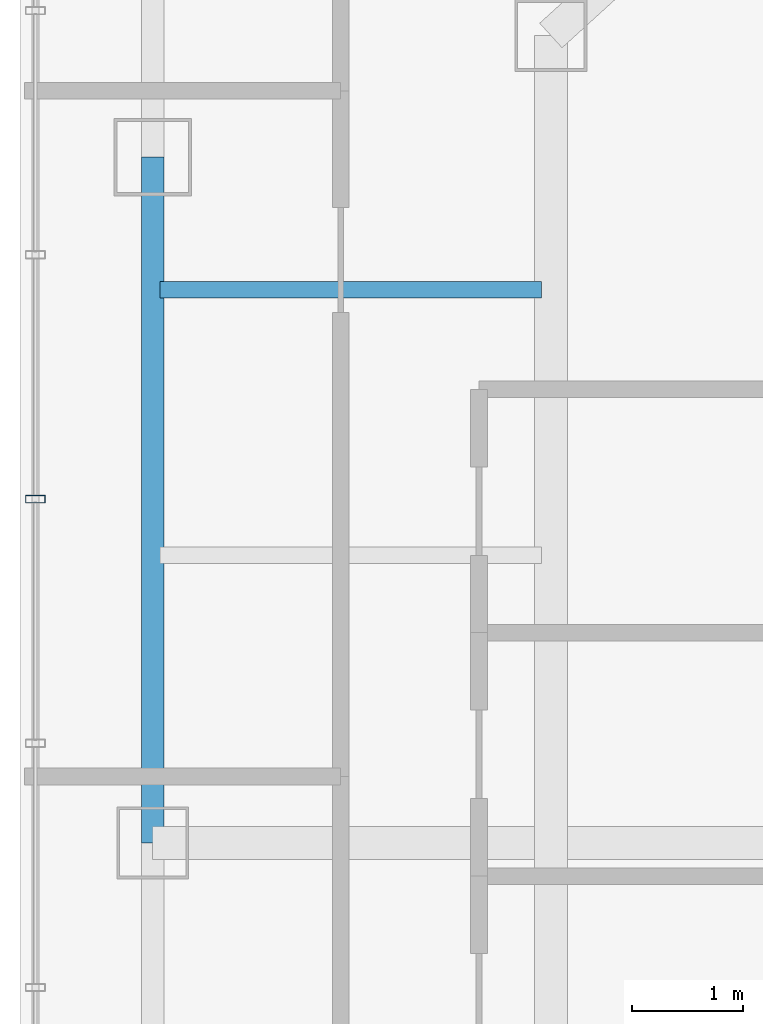
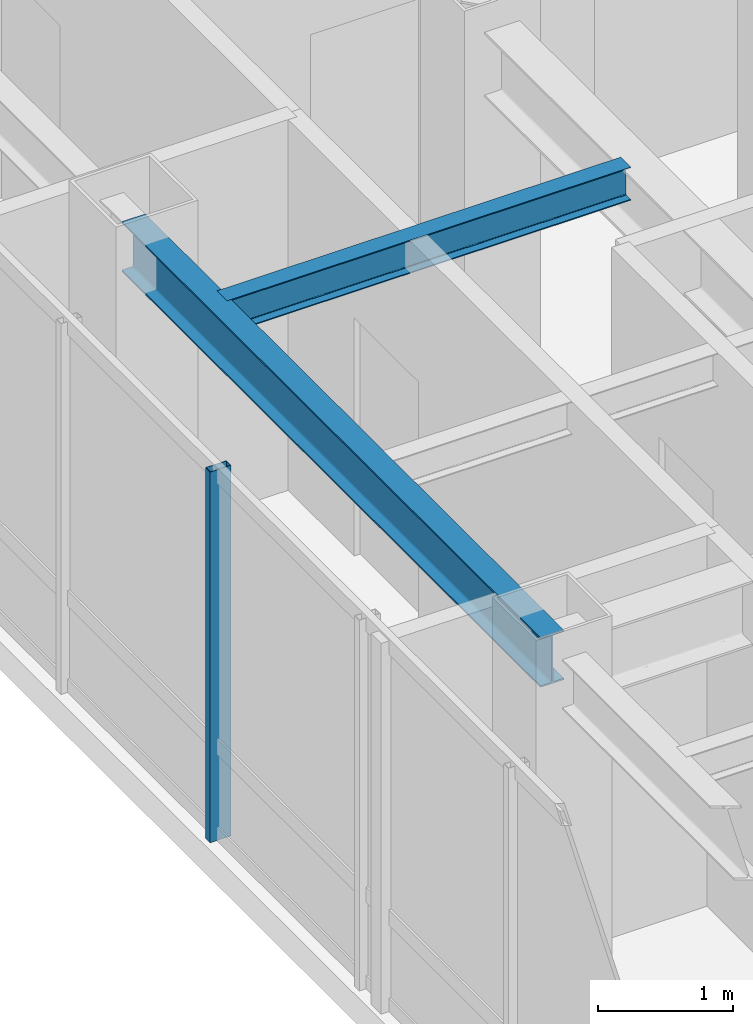
# One storey, part 8 of 25: 2 beams, 1 member, 1 element without a shape of its own.
"""IFC4 building model written with IfcOpenShell, lengths in metres."""

from ifc_helpers import new_model, si_unit, direction, frame, origin, origin_2d, place, context, subcontext, project, spatial, hollow_rectangle, i_section, extrude, material, layer, layer_set, material_profile, profile_set, type_object, element, aggregate, save


model = new_model("IFC4")

# Units and contexts
model_context = context("Model", 3, precision=1e-05, world=origin(), true_north=direction((0.0, 1.0)))
body_context = subcontext(model_context, "Body", "Model", "MODEL_VIEW")
ifc_project = project(units=[si_unit("LENGTHUNIT", "METRE"), si_unit("AREAUNIT", "SQUARE_METRE"), si_unit("VOLUMEUNIT", "CUBIC_METRE"), si_unit("PLANEANGLEUNIT", "RADIAN"), si_unit("MASSUNIT", "GRAM", prefix="KILO")], contexts=[model_context])

# Site, building, storey
site_placement = place(None, origin())
site = spatial("IfcSite", under=ifc_project, at=site_placement, CompositionType="ELEMENT")
building_placement = place(site_placement, origin())
building = spatial("IfcBuilding", under=site, at=building_placement, Name="Hatsunagi Terrace Concourse", CompositionType="ELEMENT")
storey_placement = place(building_placement, frame((0.0, 0.0, 223.949951171875)))
storey = spatial("IfcBuildingStorey", under=building, at=storey_placement, Name="L59", CompositionType="ELEMENT", Elevation=223.949951171875)

# Curtain wall, member
ifc_material_1 = material(Name="Anodised Aluminium Alloy 6063-T5", Category="aluminium")
ifc_layer = layer(ifc_material_1, 0.199951171875)
ifc_layer_set = layer_set([ifc_layer], Name="OfficeZone2_CW04")
curtain_wall_type = type_object("IfcCurtainWallType", Name="OfficeZone2_CW04", PredefinedType="NOTDEFINED", material=ifc_layer_set)
curtain_wall_placement = place(storey_placement, origin())
curtain_wall = element("IfcCurtainWall", 1, at=curtain_wall_placement, inside=storey, type_object=curtain_wall_type, Name="Unitised Curtain Wall CW-04 CW-L59-08", PredefinedType="NOTDEFINED")
ifc_material_2 = material(Name="Anodised Aluminium Alloy 6063-T5", Category="aluminium")
ifc_material_profile_1 = material_profile(ifc_material_2, hollow_rectangle(XDim=0.070068359375, YDim=0.179931640625, WallThickness=0.00390625, at=origin_2d()), Name="ALU-MUL-180x70x4")
ifc_profile_set_1 = profile_set([ifc_material_profile_1], Name="Anodised Aluminium Alloy 6063-T5")
member_type = type_object("IfcMemberType", Name="CurtainWallMullion_180x70", PredefinedType="MULLION", material=ifc_profile_set_1)
member_placement = place(storey_placement, frame((18.139892578125, 39.10791015625, 0.0), z_axis=(0.0, 0.0, 1.0), x_axis=(0.0, 1.0, 0.0)))
member = element("IfcMember", 2, at=member_placement, type_object=member_type, Name="Curtain Wall Mullion MUL-02", PredefinedType="MULLION", context=body_context, shape_type="SweptSolid", body=[
    extrude(hollow_rectangle(XDim=0.070068359375, YDim=0.179931640625, WallThickness=0.00390625, at=origin_2d()), origin(), (0.0, 0.0, 1.0), 3.35009765625),
])
aggregate(curtain_wall, [member])

# Beams
ifc_material_3 = material(Name="Steel SN490B", Category="steel")
ifc_material_profile_2 = material_profile(ifc_material_3, i_section(OverallWidth=0.14990234375, OverallDepth=0.300048828125, WebThickness=0.006591796875, FlangeThickness=0.009033203125, FilletRadius=0.010986328125, at=origin_2d()), Name="H-300x150x6.5x9")
ifc_profile_set_2 = profile_set([ifc_material_profile_2], Name="Steel SN490B")
beam_type_1 = type_object("IfcBeamType", Name="OfficeJoist_H_300x150", PredefinedType="JOIST", material=ifc_profile_set_2)
beam_1_placement = place(storey_placement, frame((19.264892578125, 41.0, 3.199951171875), z_axis=(1.0, 0.0, 0.0), x_axis=(0.0, 1.0, 0.0)))
element("IfcBeam", 3, at=beam_1_placement, inside=storey, type_object=beam_type_1, Name="Beam J-03 J-L59-W-19-410", PredefinedType="JOIST", context=body_context, shape_type="SweptSolid", body=[
    extrude(i_section(OverallWidth=0.14990234375, OverallDepth=0.300048828125, WebThickness=0.006591796875, FlangeThickness=0.009033203125, FilletRadius=0.010986328125, at=origin_2d()), origin(), (0.0, 0.0, 1.0), 3.4501953125),
])
ifc_material_4 = material(Name="Steel SN490B", Category="steel")
ifc_material_profile_3 = material_profile(ifc_material_4, i_section(OverallWidth=0.199951171875, OverallDepth=0.449951171875, WebThickness=0.009033203125, FlangeThickness=0.013916015625, FilletRadius=0.01611328125, at=origin_2d()), Name="H-450x200x9x14")
ifc_profile_set_3 = profile_set([ifc_material_profile_3], Name="Steel SN490B")
beam_type_2 = type_object("IfcBeamType", Name="PerimeterSpandrel_H_450x200", PredefinedType="SPANDREL", material=ifc_profile_set_3)
beam_2_placement = place(storey_placement, frame((19.199951171875, 36.0, 3.125), z_axis=(0.0, 1.0, 0.0), x_axis=(-1.0, 0.0, 0.0)))
element("IfcBeam", 4, at=beam_2_placement, inside=storey, type_object=beam_type_2, Name="Beam SP-02 BM-L59-NS-19-36", PredefinedType="SPANDREL", context=body_context, shape_type="SweptSolid", body=[
    extrude(i_section(OverallWidth=0.199951171875, OverallDepth=0.449951171875, WebThickness=0.009033203125, FlangeThickness=0.013916015625, FilletRadius=0.01611328125, at=origin_2d()), origin(), (0.0, 0.0, 1.0), 6.199951171875),
])

save(model, "model.ifc")
